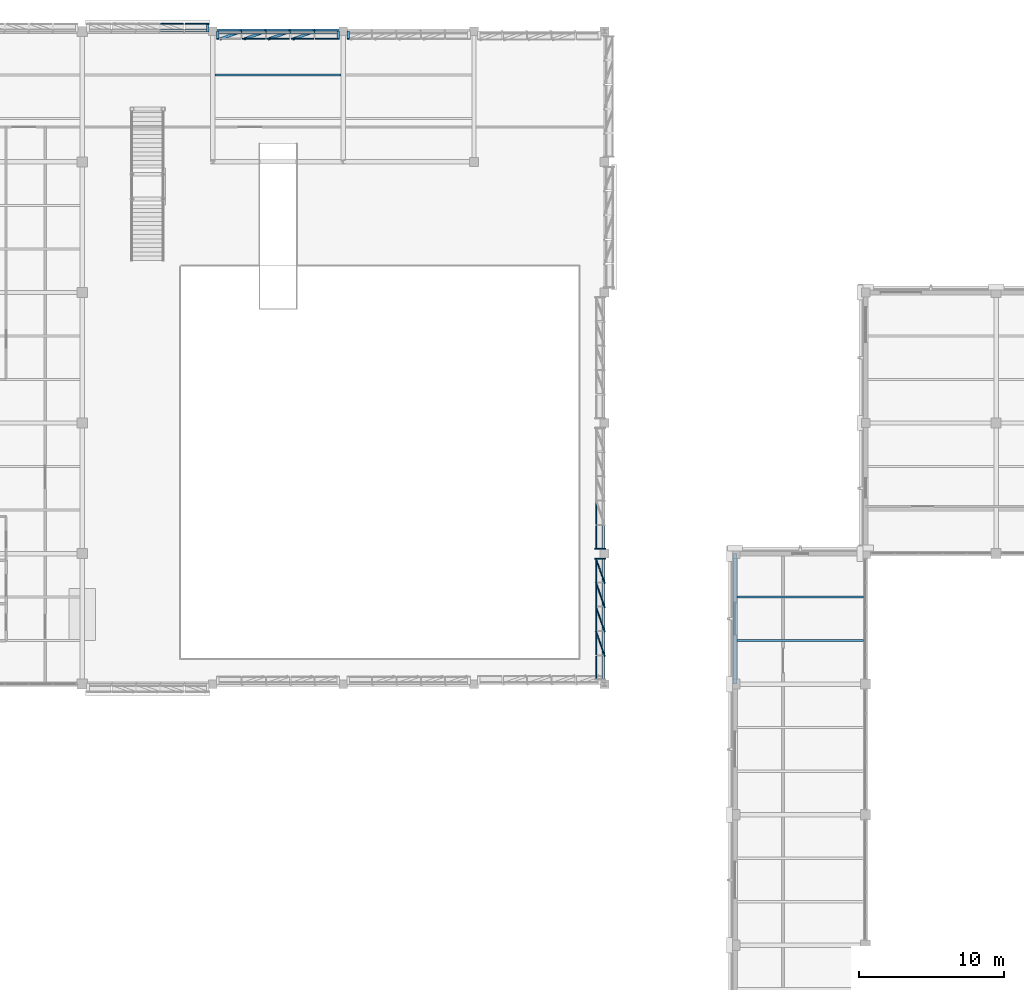
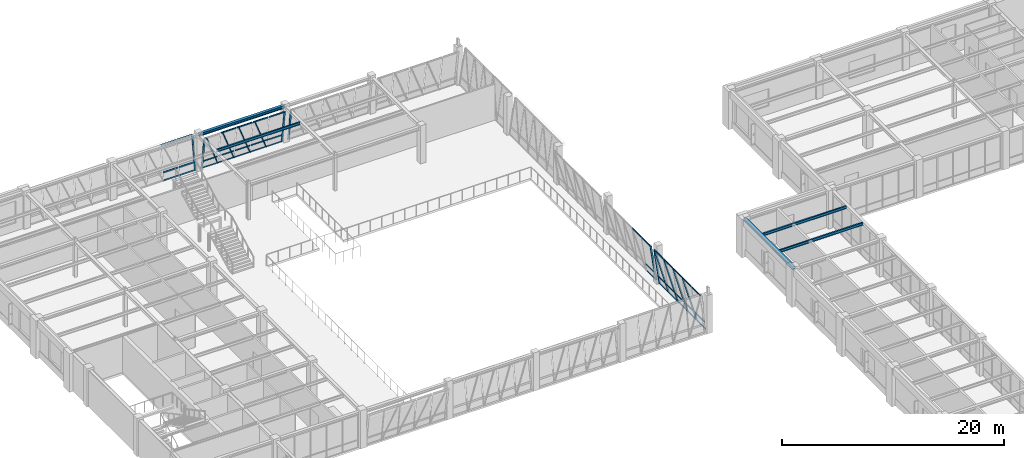
# One storey, part 63 of 108: 53 members, 5 beams, 5 elements without a shape of their own.
"""IFC4 building model written with IfcOpenShell, lengths in metres."""

from ifc_helpers import new_model, si_unit, direction, frame, origin, origin_2d, place, context, subcontext, project, spatial, hollow_rectangle, i_section, extrude, material, material_profile, profile_set, type_object, element, aggregate, save


model = new_model("IFC4")

# Units and contexts
model_context = context("Model", 3, precision=1e-05, world=origin(), true_north=direction((0.0, 1.0)))
body_context = subcontext(model_context, "Body", "Model", "MODEL_VIEW")
ifc_project = project(units=[si_unit("LENGTHUNIT", "METRE"), si_unit("AREAUNIT", "SQUARE_METRE"), si_unit("VOLUMEUNIT", "CUBIC_METRE"), si_unit("PLANEANGLEUNIT", "RADIAN"), si_unit("MASSUNIT", "GRAM", prefix="KILO")], contexts=[model_context])

# Site, building, storey
site_placement = place(None, origin())
site = spatial("IfcSite", under=ifc_project, at=site_placement, CompositionType="ELEMENT")
building_placement = place(site_placement, origin())
building = spatial("IfcBuilding", under=site, at=building_placement, Name="Lykobir Media Centre", CompositionType="ELEMENT")
storey_placement = place(building_placement, frame((0.0, 0.0, 15.0)))
storey = spatial("IfcBuildingStorey", under=building, at=storey_placement, Name="L03", CompositionType="ELEMENT", Elevation=15.0)

# Curtain wall, members
ifc_material_1 = material(Name="Anodized Aluminium AW-6060", Category="aluminium")
curtain_wall_type = type_object("IfcCurtainWallType", Name="CW-V6-CR3", PredefinedType="NOTDEFINED", material=ifc_material_1)
curtain_wall_1_placement = place(storey_placement, origin())
curtain_wall_1 = element("IfcCurtainWall", 1, at=curtain_wall_1_placement, inside=storey, type_object=curtain_wall_type, Name="Curtain wall CW2-L03-0125", PredefinedType="NOTDEFINED")
ifc_material_profile_1 = material_profile(ifc_material_1, hollow_rectangle(XDim=0.074951171875, YDim=0.179931640625, WallThickness=0.00390625, at=origin_2d()), Name="ALU MULLION 75x180")
ifc_profile_set_1 = profile_set([ifc_material_profile_1], Name="Anodized Aluminium AW-6060")
member_type_1 = type_object("IfcMemberType", Name="CWM-180", PredefinedType="MULLION", material=ifc_profile_set_1)
member_1_placement = place(storey_placement, frame((81.0, 71.657470703125, 0.0), z_axis=(-0.142657694389, 0.0, 0.989772086003), x_axis=(0.0, -1.0, 0.0)))
member_1 = element("IfcMember", 2, at=member_1_placement, type_object=member_type_1, Name="CW2-L03-0125 mullion 1", PredefinedType="MULLION", context=body_context, shape_type="SweptSolid", body=[
    extrude(hollow_rectangle(XDim=0.074951171875, YDim=0.179931640625, WallThickness=0.00390625, at=origin_2d()), origin(), (0.0, 0.0, 1.0), 3.980712890625),
])
member_2_placement = place(storey_placement, frame((81.0, 70.01708984375, 0.0), z_axis=(-0.132760683435, 0.365976570158, 0.921105721961), x_axis=(-0.94005853495, -0.341013124188, 0.0)))
member_2 = element("IfcMember", 3, at=member_2_placement, type_object=member_type_1, Name="CW2-L03-0125 mullion 2", PredefinedType="MULLION", context=body_context, shape_type="SweptSolid", body=[
    extrude(hollow_rectangle(XDim=0.074951171875, YDim=0.179931640625, WallThickness=0.00390625, at=origin_2d()), origin(), (0.0, 0.0, 1.0), 4.27734375),
])
member_3_placement = place(storey_placement, frame((81.0, 68.339111328125, 0.0), z_axis=(-0.132271466696, 0.374579600655, 0.917711491631), x_axis=(-0.942937465835, -0.332969871798, 0.0)))
member_3 = element("IfcMember", 4, at=member_3_placement, type_object=member_type_1, Name="CW2-L03-0125 mullion 3", PredefinedType="MULLION", context=body_context, shape_type="SweptSolid", body=[
    extrude(hollow_rectangle(XDim=0.074951171875, YDim=0.179931640625, WallThickness=0.00390625, at=origin_2d()), origin(), (0.0, 0.0, 1.0), 4.293212890625),
])
member_4_placement = place(storey_placement, frame((81.0, 66.660888671875, 0.0), z_axis=(-0.132268649053, 0.374628486657, 0.917691942573), x_axis=(-0.942953333652, -0.332924932312, 0.0)))
member_4 = element("IfcMember", 5, at=member_4_placement, type_object=member_type_1, Name="CW2-L03-0125 mullion 4", PredefinedType="MULLION", context=body_context, shape_type="SweptSolid", body=[
    extrude(hollow_rectangle(XDim=0.074951171875, YDim=0.179931640625, WallThickness=0.00390625, at=origin_2d()), origin(), (0.0, 0.0, 1.0), 4.293212890625),
])
member_5_placement = place(storey_placement, frame((81.0, 64.98291015625, 0.0), z_axis=(-0.132268649053, 0.374628486657, 0.917691942573), x_axis=(-0.942953333652, -0.332924932312, 0.0)))
member_5 = element("IfcMember", 6, at=member_5_placement, type_object=member_type_1, Name="CW2-L03-0125 mullion 5", PredefinedType="MULLION", context=body_context, shape_type="SweptSolid", body=[
    extrude(hollow_rectangle(XDim=0.074951171875, YDim=0.179931640625, WallThickness=0.00390625, at=origin_2d()), origin(), (0.0, 0.0, 1.0), 4.293212890625),
])

# Curtain wall, member
curtain_wall_2_placement = place(storey_placement, origin())
curtain_wall_2 = element("IfcCurtainWall", 7, at=curtain_wall_2_placement, inside=storey, type_object=curtain_wall_type, Name="Curtain wall CW2-L03-0126", PredefinedType="NOTDEFINED")
member_6_placement = place(storey_placement, frame((81.0, 72.342529296875, 0.0), z_axis=(-0.142657694389, 0.0, 0.989772086003), x_axis=(0.0, -1.0, 0.0)))
member_6 = element("IfcMember", 8, at=member_6_placement, type_object=member_type_1, Name="CW2-L03-0126 mullion 6", PredefinedType="MULLION", context=body_context, shape_type="SweptSolid", body=[
    extrude(hollow_rectangle(XDim=0.074951171875, YDim=0.179931640625, WallThickness=0.00390625, at=origin_2d()), origin(), (0.0, 0.0, 1.0), 3.980712890625),
])

curtain_wall_3_placement = place(storey_placement, origin())
curtain_wall_3 = element("IfcCurtainWall", 9, at=curtain_wall_3_placement, inside=storey, type_object=curtain_wall_type, Name="Curtain wall CW2-L03-0131", PredefinedType="NOTDEFINED")
member_7_placement = place(storey_placement, frame((53.657470703125, 108.0, 0.0), z_axis=(0.0, 0.142593917485, 0.98978127619), x_axis=(0.0, 0.98978127619, -0.142593917485)))
member_7 = element("IfcMember", 10, at=member_7_placement, type_object=member_type_1, Name="CW2-L03-0131 mullion 1", PredefinedType="MULLION", context=body_context, shape_type="SweptSolid", body=[
    extrude(hollow_rectangle(XDim=0.074951171875, YDim=0.179931640625, WallThickness=0.00390625, at=origin_2d()), origin(), (0.0, 0.0, 1.0), 3.672607421875),
])

# Curtain wall, members
curtain_wall_4_placement = place(storey_placement, origin())
curtain_wall_4 = element("IfcCurtainWall", 11, at=curtain_wall_4_placement, inside=storey, type_object=curtain_wall_type, Name="Curtain wall CW2-L03-0132", PredefinedType="NOTDEFINED")
member_8_placement = place(storey_placement, frame((54.342529296875, 108.0, 0.0), z_axis=(0.0, -0.142593917485, 0.98978127619), x_axis=(0.0, 0.98978127619, 0.142593917485)))
member_8 = element("IfcMember", 12, at=member_8_placement, type_object=member_type_1, Name="CW2-L03-0132 mullion 1", PredefinedType="MULLION", context=body_context, shape_type="SweptSolid", body=[
    extrude(hollow_rectangle(XDim=0.074951171875, YDim=0.179931640625, WallThickness=0.00390625, at=origin_2d()), origin(), (0.0, 0.0, 1.0), 3.672607421875),
])
member_9_placement = place(storey_placement, frame((55.98291015625, 108.0, 0.0), z_axis=(-0.374572027629, -0.132212769337, 0.917723040869), x_axis=(0.865396069103, 0.305459037062, 0.397220870874)))
member_9 = element("IfcMember", 13, at=member_9_placement, type_object=member_type_1, Name="CW2-L03-0132 mullion 2", PredefinedType="MULLION", context=body_context, shape_type="SweptSolid", body=[
    extrude(hollow_rectangle(XDim=0.074951171875, YDim=0.179931640625, WallThickness=0.00390625, at=origin_2d()), origin(), (0.0, 0.0, 1.0), 3.9609375),
])
member_10_placement = place(storey_placement, frame((57.660888671875, 108.0, 0.0), z_axis=(-0.374572027629, -0.132212769337, 0.917723040869), x_axis=(0.865396069103, 0.305459037062, 0.397220870874)))
member_10 = element("IfcMember", 14, at=member_10_placement, type_object=member_type_1, Name="CW2-L03-0132 mullion 3", PredefinedType="MULLION", context=body_context, shape_type="SweptSolid", body=[
    extrude(hollow_rectangle(XDim=0.074951171875, YDim=0.179931640625, WallThickness=0.00390625, at=origin_2d()), origin(), (0.0, 0.0, 1.0), 3.9609375),
])
member_11_placement = place(storey_placement, frame((59.339111328125, 108.0, 0.0), z_axis=(-0.374625015426, -0.132209716698, 0.917701851708), x_axis=(0.865391860701, 0.305407295361, 0.397269821875)))
member_11 = element("IfcMember", 15, at=member_11_placement, type_object=member_type_1, Name="CW2-L03-0132 mullion 4", PredefinedType="MULLION", context=body_context, shape_type="SweptSolid", body=[
    extrude(hollow_rectangle(XDim=0.074951171875, YDim=0.179931640625, WallThickness=0.00390625, at=origin_2d()), origin(), (0.0, 0.0, 1.0), 3.9609375),
])
member_12_placement = place(storey_placement, frame((61.01708984375, 108.0, 0.0), z_axis=(-0.374625015426, -0.132209716698, 0.917701851708), x_axis=(0.865391860701, 0.305407295361, 0.397269821875)))
member_12 = element("IfcMember", 16, at=member_12_placement, type_object=member_type_1, Name="CW2-L03-0132 mullion 5", PredefinedType="MULLION", context=body_context, shape_type="SweptSolid", body=[
    extrude(hollow_rectangle(XDim=0.074951171875, YDim=0.179931640625, WallThickness=0.00390625, at=origin_2d()), origin(), (0.0, 0.0, 1.0), 3.9609375),
])
member_13_placement = place(storey_placement, frame((62.657470703125, 108.0, 0.0), z_axis=(0.0, -0.142593917485, 0.98978127619), x_axis=(0.0, 0.98978127619, 0.142593917485)))
member_13 = element("IfcMember", 17, at=member_13_placement, type_object=member_type_1, Name="CW2-L03-0132 mullion 6", PredefinedType="MULLION", context=body_context, shape_type="SweptSolid", body=[
    extrude(hollow_rectangle(XDim=0.074951171875, YDim=0.179931640625, WallThickness=0.00390625, at=origin_2d()), origin(), (0.0, 0.0, 1.0), 3.672607421875),
])

# Curtain wall, member
curtain_wall_5_placement = place(storey_placement, origin())
curtain_wall_5 = element("IfcCurtainWall", 18, at=curtain_wall_5_placement, inside=storey, type_object=curtain_wall_type, Name="Curtain wall CW2-L03-0133", PredefinedType="NOTDEFINED")
member_14_placement = place(storey_placement, frame((63.342529296875, 108.0, 0.0), z_axis=(0.0, -0.142593917485, 0.98978127619), x_axis=(0.0, 0.98978127619, 0.142593917485)))
member_14 = element("IfcMember", 19, at=member_14_placement, type_object=member_type_1, Name="CW2-L03-0133 mullion 1", PredefinedType="MULLION", context=body_context, shape_type="SweptSolid", body=[
    extrude(hollow_rectangle(XDim=0.074951171875, YDim=0.179931640625, WallThickness=0.00390625, at=origin_2d()), origin(), (0.0, 0.0, 1.0), 3.672607421875),
])
aggregate(curtain_wall_5, [member_14])

# Member
ifc_material_profile_2 = material_profile(ifc_material_1, hollow_rectangle(XDim=0.074951171875, YDim=0.14990234375, WallThickness=0.00341796875, at=origin_2d()), Name="ALU TRANSOM 75x150")
ifc_profile_set_2 = profile_set([ifc_material_profile_2], Name="Anodized Aluminium AW-6060")
member_type_2 = type_object("IfcMemberType", Name="CWT-150", PredefinedType="USERDEFINED", material=ifc_profile_set_2)
member_15_placement = place(storey_placement, frame((80.99462890625, 71.6201171875, 0.037109375), z_axis=(0.0, -1.0, 0.0), x_axis=(0.989776230908, 0.0, 0.142628933706)))
member_15 = element("IfcMember", 20, at=member_15_placement, type_object=member_type_2, Name="CW2-L03-0125 transom 1.1", ObjectType="TRANSOM", PredefinedType="USERDEFINED", context=body_context, shape_type="SweptSolid", body=[
    extrude(hollow_rectangle(XDim=0.074951171875, YDim=0.14990234375, WallThickness=0.00341796875, at=origin_2d()), origin(), (0.0, 0.0, 1.0), 1.565673828125),
])

member_16_placement = place(storey_placement, frame((80.87890625, 71.6201171875, 0.84130859375), z_axis=(0.0, -1.0, 0.0), x_axis=(0.989776230908, 0.0, 0.142628933706)))
member_16 = element("IfcMember", 21, at=member_16_placement, type_object=member_type_2, Name="CW2-L03-0125 transom 1.2", ObjectType="TRANSOM", PredefinedType="USERDEFINED", context=body_context, shape_type="SweptSolid", body=[
    extrude(hollow_rectangle(XDim=0.074951171875, YDim=0.14990234375, WallThickness=0.00341796875, at=origin_2d()), origin(), (0.0, 0.0, 1.0), 1.565673828125),
])

member_17_placement = place(storey_placement, frame((80.4375, 71.6201171875, 3.90283203125), z_axis=(0.0, -1.0, 0.0), x_axis=(0.989776230908, 0.0, 0.142628933706)))
member_17 = element("IfcMember", 22, at=member_17_placement, type_object=member_type_2, Name="CW2-L03-0125 transom 1.3", ObjectType="TRANSOM", PredefinedType="USERDEFINED", context=body_context, shape_type="SweptSolid", body=[
    extrude(hollow_rectangle(XDim=0.074951171875, YDim=0.14990234375, WallThickness=0.00341796875, at=origin_2d()), origin(), (0.0, 0.0, 1.0), 1.565673828125),
])

member_18_placement = place(storey_placement, frame((80.99462890625, 69.9794921875, 0.037109375), z_axis=(0.0, -1.0, 0.0), x_axis=(0.989776230908, 0.0, 0.142628933706)))
member_18 = element("IfcMember", 23, at=member_18_placement, type_object=member_type_2, Name="CW2-L03-0125 transom 2.1", ObjectType="TRANSOM", PredefinedType="USERDEFINED", context=body_context, shape_type="SweptSolid", body=[
    extrude(hollow_rectangle(XDim=0.074951171875, YDim=0.14990234375, WallThickness=0.00341796875, at=origin_2d()), origin(), (0.0, 0.0, 1.0), 1.60302734375),
])

member_19_placement = place(storey_placement, frame((80.87890625, 69.9794921875, 0.84130859375), z_axis=(0.0, -1.0, 0.0), x_axis=(0.989776230908, 0.0, 0.142628933706)))
member_19 = element("IfcMember", 24, at=member_19_placement, type_object=member_type_2, Name="CW2-L03-0125 transom 2.2", ObjectType="TRANSOM", PredefinedType="USERDEFINED", context=body_context, shape_type="SweptSolid", body=[
    extrude(hollow_rectangle(XDim=0.074951171875, YDim=0.14990234375, WallThickness=0.00341796875, at=origin_2d()), origin(), (0.0, 0.0, 1.0), 1.60302734375),
])

member_20_placement = place(storey_placement, frame((80.4375, 69.9794921875, 3.90283203125), z_axis=(0.0, -1.0, 0.0), x_axis=(0.989776230908, 0.0, 0.142628933706)))
member_20 = element("IfcMember", 25, at=member_20_placement, type_object=member_type_2, Name="CW2-L03-0125 transom 2.3", ObjectType="TRANSOM", PredefinedType="USERDEFINED", context=body_context, shape_type="SweptSolid", body=[
    extrude(hollow_rectangle(XDim=0.074951171875, YDim=0.14990234375, WallThickness=0.00341796875, at=origin_2d()), origin(), (0.0, 0.0, 1.0), 1.60302734375),
])

member_21_placement = place(storey_placement, frame((80.99462890625, 68.301513671875, 0.037109375), z_axis=(0.0, -1.0, 0.0), x_axis=(0.989776230908, 0.0, 0.142628933706)))
member_21 = element("IfcMember", 26, at=member_21_placement, type_object=member_type_2, Name="CW2-L03-0125 transom 3.1", ObjectType="TRANSOM", PredefinedType="USERDEFINED", context=body_context, shape_type="SweptSolid", body=[
    extrude(hollow_rectangle(XDim=0.074951171875, YDim=0.14990234375, WallThickness=0.00341796875, at=origin_2d()), origin(), (0.0, 0.0, 1.0), 1.60302734375),
])

member_22_placement = place(storey_placement, frame((80.87890625, 68.301513671875, 0.84130859375), z_axis=(0.0, -1.0, 0.0), x_axis=(0.989776230908, 0.0, 0.142628933706)))
member_22 = element("IfcMember", 27, at=member_22_placement, type_object=member_type_2, Name="CW2-L03-0125 transom 3.2", ObjectType="TRANSOM", PredefinedType="USERDEFINED", context=body_context, shape_type="SweptSolid", body=[
    extrude(hollow_rectangle(XDim=0.074951171875, YDim=0.14990234375, WallThickness=0.00341796875, at=origin_2d()), origin(), (0.0, 0.0, 1.0), 1.60302734375),
])

member_23_placement = place(storey_placement, frame((80.4375, 68.301513671875, 3.90283203125), z_axis=(0.0, -1.0, 0.0), x_axis=(0.989776230908, 0.0, 0.142628933706)))
member_23 = element("IfcMember", 28, at=member_23_placement, type_object=member_type_2, Name="CW2-L03-0125 transom 3.3", ObjectType="TRANSOM", PredefinedType="USERDEFINED", context=body_context, shape_type="SweptSolid", body=[
    extrude(hollow_rectangle(XDim=0.074951171875, YDim=0.14990234375, WallThickness=0.00341796875, at=origin_2d()), origin(), (0.0, 0.0, 1.0), 1.60302734375),
])

member_24_placement = place(storey_placement, frame((80.99462890625, 66.62353515625, 0.037109375), z_axis=(0.0, -1.0, 0.0), x_axis=(0.989776230908, 0.0, 0.142628933706)))
member_24 = element("IfcMember", 29, at=member_24_placement, type_object=member_type_2, Name="CW2-L03-0125 transom 4.1", ObjectType="TRANSOM", PredefinedType="USERDEFINED", context=body_context, shape_type="SweptSolid", body=[
    extrude(hollow_rectangle(XDim=0.074951171875, YDim=0.14990234375, WallThickness=0.00341796875, at=origin_2d()), origin(), (0.0, 0.0, 1.0), 1.60302734375),
])

member_25_placement = place(storey_placement, frame((80.87890625, 66.62353515625, 0.84130859375), z_axis=(0.0, -1.0, 0.0), x_axis=(0.989776230908, 0.0, 0.142628933706)))
member_25 = element("IfcMember", 30, at=member_25_placement, type_object=member_type_2, Name="CW2-L03-0125 transom 4.2", ObjectType="TRANSOM", PredefinedType="USERDEFINED", context=body_context, shape_type="SweptSolid", body=[
    extrude(hollow_rectangle(XDim=0.074951171875, YDim=0.14990234375, WallThickness=0.00341796875, at=origin_2d()), origin(), (0.0, 0.0, 1.0), 1.60302734375),
])

member_26_placement = place(storey_placement, frame((80.4375, 66.62353515625, 3.90283203125), z_axis=(0.0, -1.0, 0.0), x_axis=(0.989776230908, 0.0, 0.142628933706)))
member_26 = element("IfcMember", 31, at=member_26_placement, type_object=member_type_2, Name="CW2-L03-0125 transom 4.3", ObjectType="TRANSOM", PredefinedType="USERDEFINED", context=body_context, shape_type="SweptSolid", body=[
    extrude(hollow_rectangle(XDim=0.074951171875, YDim=0.14990234375, WallThickness=0.00341796875, at=origin_2d()), origin(), (0.0, 0.0, 1.0), 1.60302734375),
])

member_27_placement = place(storey_placement, frame((80.99462890625, 64.945556640625, 0.037109375), z_axis=(0.0, -1.0, 0.0), x_axis=(0.989776230908, 0.0, 0.142628933706)))
member_27 = element("IfcMember", 32, at=member_27_placement, type_object=member_type_2, Name="CW2-L03-0125 transom 5.1", ObjectType="TRANSOM", PredefinedType="USERDEFINED", context=body_context, shape_type="SweptSolid", body=[
    extrude(hollow_rectangle(XDim=0.074951171875, YDim=0.14990234375, WallThickness=0.00341796875, at=origin_2d()), origin(), (0.0, 0.0, 1.0), 1.565673828125),
])

member_28_placement = place(storey_placement, frame((80.87890625, 64.945556640625, 0.84130859375), z_axis=(0.0, -1.0, 0.0), x_axis=(0.989776230908, 0.0, 0.142628933706)))
member_28 = element("IfcMember", 33, at=member_28_placement, type_object=member_type_2, Name="CW2-L03-0125 transom 5.2", ObjectType="TRANSOM", PredefinedType="USERDEFINED", context=body_context, shape_type="SweptSolid", body=[
    extrude(hollow_rectangle(XDim=0.074951171875, YDim=0.14990234375, WallThickness=0.00341796875, at=origin_2d()), origin(), (0.0, 0.0, 1.0), 1.565673828125),
])

member_29_placement = place(storey_placement, frame((80.4375, 64.945556640625, 3.90283203125), z_axis=(0.0, -1.0, 0.0), x_axis=(0.989776230908, 0.0, 0.142628933706)))
member_29 = element("IfcMember", 34, at=member_29_placement, type_object=member_type_2, Name="CW2-L03-0125 transom 5.3", ObjectType="TRANSOM", PredefinedType="USERDEFINED", context=body_context, shape_type="SweptSolid", body=[
    extrude(hollow_rectangle(XDim=0.074951171875, YDim=0.14990234375, WallThickness=0.00341796875, at=origin_2d()), origin(), (0.0, 0.0, 1.0), 1.565673828125),
])

aggregate(curtain_wall_1, [member_1, member_2, member_3, member_4, member_5, member_15, member_16, member_17, member_18, member_19, member_20, member_21, member_22, member_23, member_24, member_25, member_26, member_27, member_28, member_29])

member_30_placement = place(storey_placement, frame((80.4375, 75.62353515625, 3.90283203125), z_axis=(0.0, -1.0, 0.0), x_axis=(0.989776230908, 0.0, 0.142628933706)))
member_30 = element("IfcMember", 35, at=member_30_placement, type_object=member_type_2, Name="CW2-L03-0126 transom 4.3", ObjectType="TRANSOM", PredefinedType="USERDEFINED", context=body_context, shape_type="SweptSolid", body=[
    extrude(hollow_rectangle(XDim=0.074951171875, YDim=0.14990234375, WallThickness=0.00341796875, at=origin_2d()), origin(), (0.0, 0.0, 1.0), 1.60302734375),
])

member_31_placement = place(storey_placement, frame((80.99462890625, 73.945556640625, 0.037109375), z_axis=(0.0, -1.0, 0.0), x_axis=(0.989776230908, 0.0, 0.142628933706)))
member_31 = element("IfcMember", 36, at=member_31_placement, type_object=member_type_2, Name="CW2-L03-0126 transom 5.1", ObjectType="TRANSOM", PredefinedType="USERDEFINED", context=body_context, shape_type="SweptSolid", body=[
    extrude(hollow_rectangle(XDim=0.074951171875, YDim=0.14990234375, WallThickness=0.00341796875, at=origin_2d()), origin(), (0.0, 0.0, 1.0), 1.565673828125),
])

member_32_placement = place(storey_placement, frame((80.87890625, 73.945556640625, 0.84130859375), z_axis=(0.0, -1.0, 0.0), x_axis=(0.989776230908, 0.0, 0.142628933706)))
member_32 = element("IfcMember", 37, at=member_32_placement, type_object=member_type_2, Name="CW2-L03-0126 transom 5.2", ObjectType="TRANSOM", PredefinedType="USERDEFINED", context=body_context, shape_type="SweptSolid", body=[
    extrude(hollow_rectangle(XDim=0.074951171875, YDim=0.14990234375, WallThickness=0.00341796875, at=origin_2d()), origin(), (0.0, 0.0, 1.0), 1.565673828125),
])

member_33_placement = place(storey_placement, frame((80.4375, 73.945556640625, 3.90283203125), z_axis=(0.0, -1.0, 0.0), x_axis=(0.989776230908, 0.0, 0.142628933706)))
member_33 = element("IfcMember", 38, at=member_33_placement, type_object=member_type_2, Name="CW2-L03-0126 transom 5.3", ObjectType="TRANSOM", PredefinedType="USERDEFINED", context=body_context, shape_type="SweptSolid", body=[
    extrude(hollow_rectangle(XDim=0.074951171875, YDim=0.14990234375, WallThickness=0.00341796875, at=origin_2d()), origin(), (0.0, 0.0, 1.0), 1.565673828125),
])

aggregate(curtain_wall_2, [member_6, member_30, member_31, member_32, member_33])

member_34_placement = place(storey_placement, frame((53.6201171875, 108.00537109375, 0.037109375), z_axis=(-1.0, 0.0, 0.0), x_axis=(0.0, -0.989776230908, 0.142628933706)))
member_34 = element("IfcMember", 39, at=member_34_placement, type_object=member_type_2, Name="CW2-L03-0131 transom 1.1", ObjectType="TRANSOM", PredefinedType="USERDEFINED", context=body_context, shape_type="SweptSolid", body=[
    extrude(hollow_rectangle(XDim=0.074951171875, YDim=0.14990234375, WallThickness=0.00341796875, at=origin_2d()), origin(), (0.0, 0.0, 1.0), 1.5556640625),
])

member_35_placement = place(storey_placement, frame((53.6201171875, 108.12109375, 0.84130859375), z_axis=(-1.0, 0.0, 0.0), x_axis=(0.0, -0.989776230908, 0.142628933706)))
member_35 = element("IfcMember", 40, at=member_35_placement, type_object=member_type_2, Name="CW2-L03-0131 transom 1.2", ObjectType="TRANSOM", PredefinedType="USERDEFINED", context=body_context, shape_type="SweptSolid", body=[
    extrude(hollow_rectangle(XDim=0.074951171875, YDim=0.14990234375, WallThickness=0.00341796875, at=origin_2d()), origin(), (0.0, 0.0, 1.0), 1.5556640625),
])

member_36_placement = place(storey_placement, frame((53.6201171875, 108.5185546875, 3.597900390625), z_axis=(-1.0, 0.0, 0.0), x_axis=(0.0, -0.989776230908, 0.142628933706)))
member_36 = element("IfcMember", 41, at=member_36_placement, type_object=member_type_2, Name="CW2-L03-0131 transom 1.3", ObjectType="TRANSOM", PredefinedType="USERDEFINED", context=body_context, shape_type="SweptSolid", body=[
    extrude(hollow_rectangle(XDim=0.074951171875, YDim=0.14990234375, WallThickness=0.00341796875, at=origin_2d()), origin(), (0.0, 0.0, 1.0), 1.5556640625),
])

member_37_placement = place(storey_placement, frame((51.989501953125, 108.00537109375, 0.037109375), z_axis=(-1.0, 0.0, 0.0), x_axis=(0.0, -0.989776230908, 0.142628933706)))
member_37 = element("IfcMember", 42, at=member_37_placement, type_object=member_type_2, Name="CW2-L03-0131 transom 2.1", ObjectType="TRANSOM", PredefinedType="USERDEFINED", context=body_context, shape_type="SweptSolid", body=[
    extrude(hollow_rectangle(XDim=0.074951171875, YDim=0.14990234375, WallThickness=0.00341796875, at=origin_2d()), origin(), (0.0, 0.0, 1.0), 1.593017578125),
])

member_38_placement = place(storey_placement, frame((51.989501953125, 108.12109375, 0.84130859375), z_axis=(-1.0, 0.0, 0.0), x_axis=(0.0, -0.989776230908, 0.142628933706)))
member_38 = element("IfcMember", 43, at=member_38_placement, type_object=member_type_2, Name="CW2-L03-0131 transom 2.2", ObjectType="TRANSOM", PredefinedType="USERDEFINED", context=body_context, shape_type="SweptSolid", body=[
    extrude(hollow_rectangle(XDim=0.074951171875, YDim=0.14990234375, WallThickness=0.00341796875, at=origin_2d()), origin(), (0.0, 0.0, 1.0), 1.593017578125),
])

member_39_placement = place(storey_placement, frame((51.989501953125, 108.5185546875, 3.597900390625), z_axis=(-1.0, 0.0, 0.0), x_axis=(0.0, -0.989776230908, 0.142628933706)))
member_39 = element("IfcMember", 44, at=member_39_placement, type_object=member_type_2, Name="CW2-L03-0131 transom 2.3", ObjectType="TRANSOM", PredefinedType="USERDEFINED", context=body_context, shape_type="SweptSolid", body=[
    extrude(hollow_rectangle(XDim=0.074951171875, YDim=0.14990234375, WallThickness=0.00341796875, at=origin_2d()), origin(), (0.0, 0.0, 1.0), 1.593017578125),
])

aggregate(curtain_wall_3, [member_7, member_34, member_35, member_36, member_37, member_38, member_39])

member_40_placement = place(storey_placement, frame((54.3798828125, 107.99462890625, 0.037109375), z_axis=(1.0, 0.0, 0.0), x_axis=(0.0, 0.989776230908, 0.142628933706)))
member_40 = element("IfcMember", 45, at=member_40_placement, type_object=member_type_2, Name="CW2-L03-0132 transom 1.1", ObjectType="TRANSOM", PredefinedType="USERDEFINED", context=body_context, shape_type="SweptSolid", body=[
    extrude(hollow_rectangle(XDim=0.074951171875, YDim=0.14990234375, WallThickness=0.00341796875, at=origin_2d()), origin(), (0.0, 0.0, 1.0), 1.565673828125),
])

member_41_placement = place(storey_placement, frame((54.3798828125, 107.87890625, 0.84130859375), z_axis=(1.0, 0.0, 0.0), x_axis=(0.0, 0.989776230908, 0.142628933706)))
member_41 = element("IfcMember", 46, at=member_41_placement, type_object=member_type_2, Name="CW2-L03-0132 transom 1.2", ObjectType="TRANSOM", PredefinedType="USERDEFINED", context=body_context, shape_type="SweptSolid", body=[
    extrude(hollow_rectangle(XDim=0.074951171875, YDim=0.14990234375, WallThickness=0.00341796875, at=origin_2d()), origin(), (0.0, 0.0, 1.0), 1.565673828125),
])

member_42_placement = place(storey_placement, frame((56.0205078125, 107.99462890625, 0.037109375), z_axis=(1.0, 0.0, 0.0), x_axis=(0.0, 0.989776230908, 0.142628933706)))
member_42 = element("IfcMember", 47, at=member_42_placement, type_object=member_type_2, Name="CW2-L03-0132 transom 2.1", ObjectType="TRANSOM", PredefinedType="USERDEFINED", context=body_context, shape_type="SweptSolid", body=[
    extrude(hollow_rectangle(XDim=0.074951171875, YDim=0.14990234375, WallThickness=0.00341796875, at=origin_2d()), origin(), (0.0, 0.0, 1.0), 1.60302734375),
])

member_43_placement = place(storey_placement, frame((56.0205078125, 107.87890625, 0.84130859375), z_axis=(1.0, 0.0, 0.0), x_axis=(0.0, 0.989776230908, 0.142628933706)))
member_43 = element("IfcMember", 48, at=member_43_placement, type_object=member_type_2, Name="CW2-L03-0132 transom 2.2", ObjectType="TRANSOM", PredefinedType="USERDEFINED", context=body_context, shape_type="SweptSolid", body=[
    extrude(hollow_rectangle(XDim=0.074951171875, YDim=0.14990234375, WallThickness=0.00341796875, at=origin_2d()), origin(), (0.0, 0.0, 1.0), 1.60302734375),
])

member_44_placement = place(storey_placement, frame((56.0205078125, 107.4814453125, 3.597900390625), z_axis=(1.0, 0.0, 0.0), x_axis=(0.0, 0.989776230908, 0.142628933706)))
member_44 = element("IfcMember", 49, at=member_44_placement, type_object=member_type_2, Name="CW2-L03-0132 transom 2.3", ObjectType="TRANSOM", PredefinedType="USERDEFINED", context=body_context, shape_type="SweptSolid", body=[
    extrude(hollow_rectangle(XDim=0.074951171875, YDim=0.14990234375, WallThickness=0.00341796875, at=origin_2d()), origin(), (0.0, 0.0, 1.0), 1.60302734375),
])

member_45_placement = place(storey_placement, frame((57.698486328125, 107.99462890625, 0.037109375), z_axis=(1.0, 0.0, 0.0), x_axis=(0.0, 0.989776230908, 0.142628933706)))
member_45 = element("IfcMember", 50, at=member_45_placement, type_object=member_type_2, Name="CW2-L03-0132 transom 3.1", ObjectType="TRANSOM", PredefinedType="USERDEFINED", context=body_context, shape_type="SweptSolid", body=[
    extrude(hollow_rectangle(XDim=0.074951171875, YDim=0.14990234375, WallThickness=0.00341796875, at=origin_2d()), origin(), (0.0, 0.0, 1.0), 1.60302734375),
])

member_46_placement = place(storey_placement, frame((57.698486328125, 107.87890625, 0.84130859375), z_axis=(1.0, 0.0, 0.0), x_axis=(0.0, 0.989776230908, 0.142628933706)))
member_46 = element("IfcMember", 51, at=member_46_placement, type_object=member_type_2, Name="CW2-L03-0132 transom 3.2", ObjectType="TRANSOM", PredefinedType="USERDEFINED", context=body_context, shape_type="SweptSolid", body=[
    extrude(hollow_rectangle(XDim=0.074951171875, YDim=0.14990234375, WallThickness=0.00341796875, at=origin_2d()), origin(), (0.0, 0.0, 1.0), 1.60302734375),
])

member_47_placement = place(storey_placement, frame((57.698486328125, 107.4814453125, 3.597900390625), z_axis=(1.0, 0.0, 0.0), x_axis=(0.0, 0.989776230908, 0.142628933706)))
member_47 = element("IfcMember", 52, at=member_47_placement, type_object=member_type_2, Name="CW2-L03-0132 transom 3.3", ObjectType="TRANSOM", PredefinedType="USERDEFINED", context=body_context, shape_type="SweptSolid", body=[
    extrude(hollow_rectangle(XDim=0.074951171875, YDim=0.14990234375, WallThickness=0.00341796875, at=origin_2d()), origin(), (0.0, 0.0, 1.0), 1.60302734375),
])

member_48_placement = place(storey_placement, frame((59.37646484375, 107.99462890625, 0.037109375), z_axis=(1.0, 0.0, 0.0), x_axis=(0.0, 0.989776230908, 0.142628933706)))
member_48 = element("IfcMember", 53, at=member_48_placement, type_object=member_type_2, Name="CW2-L03-0132 transom 4.1", ObjectType="TRANSOM", PredefinedType="USERDEFINED", context=body_context, shape_type="SweptSolid", body=[
    extrude(hollow_rectangle(XDim=0.074951171875, YDim=0.14990234375, WallThickness=0.00341796875, at=origin_2d()), origin(), (0.0, 0.0, 1.0), 1.60302734375),
])

member_49_placement = place(storey_placement, frame((59.37646484375, 107.87890625, 0.84130859375), z_axis=(1.0, 0.0, 0.0), x_axis=(0.0, 0.989776230908, 0.142628933706)))
member_49 = element("IfcMember", 54, at=member_49_placement, type_object=member_type_2, Name="CW2-L03-0132 transom 4.2", ObjectType="TRANSOM", PredefinedType="USERDEFINED", context=body_context, shape_type="SweptSolid", body=[
    extrude(hollow_rectangle(XDim=0.074951171875, YDim=0.14990234375, WallThickness=0.00341796875, at=origin_2d()), origin(), (0.0, 0.0, 1.0), 1.60302734375),
])

member_50_placement = place(storey_placement, frame((59.37646484375, 107.4814453125, 3.597900390625), z_axis=(1.0, 0.0, 0.0), x_axis=(0.0, 0.989776230908, 0.142628933706)))
member_50 = element("IfcMember", 55, at=member_50_placement, type_object=member_type_2, Name="CW2-L03-0132 transom 4.3", ObjectType="TRANSOM", PredefinedType="USERDEFINED", context=body_context, shape_type="SweptSolid", body=[
    extrude(hollow_rectangle(XDim=0.074951171875, YDim=0.14990234375, WallThickness=0.00341796875, at=origin_2d()), origin(), (0.0, 0.0, 1.0), 1.60302734375),
])

member_51_placement = place(storey_placement, frame((61.054443359375, 107.99462890625, 0.037109375), z_axis=(1.0, 0.0, 0.0), x_axis=(0.0, 0.989776230908, 0.142628933706)))
member_51 = element("IfcMember", 56, at=member_51_placement, type_object=member_type_2, Name="CW2-L03-0132 transom 5.1", ObjectType="TRANSOM", PredefinedType="USERDEFINED", context=body_context, shape_type="SweptSolid", body=[
    extrude(hollow_rectangle(XDim=0.074951171875, YDim=0.14990234375, WallThickness=0.00341796875, at=origin_2d()), origin(), (0.0, 0.0, 1.0), 1.565673828125),
])

member_52_placement = place(storey_placement, frame((61.054443359375, 107.87890625, 0.84130859375), z_axis=(1.0, 0.0, 0.0), x_axis=(0.0, 0.989776230908, 0.142628933706)))
member_52 = element("IfcMember", 57, at=member_52_placement, type_object=member_type_2, Name="CW2-L03-0132 transom 5.2", ObjectType="TRANSOM", PredefinedType="USERDEFINED", context=body_context, shape_type="SweptSolid", body=[
    extrude(hollow_rectangle(XDim=0.074951171875, YDim=0.14990234375, WallThickness=0.00341796875, at=origin_2d()), origin(), (0.0, 0.0, 1.0), 1.565673828125),
])

member_53_placement = place(storey_placement, frame((61.054443359375, 107.4814453125, 3.597900390625), z_axis=(1.0, 0.0, 0.0), x_axis=(0.0, 0.989776230908, 0.142628933706)))
member_53 = element("IfcMember", 58, at=member_53_placement, type_object=member_type_2, Name="CW2-L03-0132 transom 5.3", ObjectType="TRANSOM", PredefinedType="USERDEFINED", context=body_context, shape_type="SweptSolid", body=[
    extrude(hollow_rectangle(XDim=0.074951171875, YDim=0.14990234375, WallThickness=0.00341796875, at=origin_2d()), origin(), (0.0, 0.0, 1.0), 1.565673828125),
])

aggregate(curtain_wall_4, [member_8, member_9, member_10, member_11, member_12, member_13, member_40, member_41, member_42, member_43, member_44, member_45, member_46, member_47, member_48, member_49, member_50, member_51, member_52, member_53])

# Beams
ifc_material_2 = material(Name="Steel S355", Category="steel")
ifc_material_profile_3 = material_profile(ifc_material_2, i_section(OverallWidth=0.14990234375, OverallDepth=0.300048828125, WebThickness=0.007080078125, FlangeThickness=0.0107421875, at=origin_2d()), Name="IPE 300")
ifc_profile_set_3 = profile_set([ifc_material_profile_3], Name="Steel S355")
beam_type_1 = type_object("IfcBeamType", Name="JS-IPE300", PredefinedType="JOIST", material=ifc_profile_set_3)
for number, where, z_axis, x_axis, name in (
    (59, (54.14990234375, 105.0, 3.81005859375), (1.0, 0.0, 0.0), (0.0, 1.0, 0.0), "Beam BM-L03-0542-1050-0628-1050-1881"),
    (60, (90.14990234375, 66.0, 3.81005859375), (1.0, 0.0, 0.0), (0.0, 1.0, 0.0), "Beam BM-L03-0902-0660-0988-0660-1881"),
    (61, (90.14990234375, 69.0, 3.81005859375), (1.0, 0.0, 0.0), (0.0, 1.0, 0.0), "Beam BM-L03-0902-0690-0988-0690-1881"),
):
    element("IfcBeam", number, at=place(storey_placement, frame(where, z_axis=z_axis, x_axis=x_axis)), inside=storey, type_object=beam_type_1, Name=name, PredefinedType="JOIST", context=body_context, shape_type="SweptSolid", body=[
        extrude(i_section(OverallWidth=0.14990234375, OverallDepth=0.300048828125, WebThickness=0.007080078125, FlangeThickness=0.0107421875, at=origin_2d()), origin(), (0.0, 0.0, 1.0), 8.7001953125),
    ])
ifc_material_profile_4 = material_profile(ifc_material_2, i_section(OverallWidth=0.300048828125, OverallDepth=0.31005859375, WebThickness=0.009033203125, FlangeThickness=0.015380859375, at=origin_2d()), Name="HEA 320")
ifc_profile_set_4 = profile_set([ifc_material_profile_4], Name="Steel S355")
beam_type_2 = type_object("IfcBeamType", Name="SP-HEA320", PredefinedType="SPANDREL", material=ifc_profile_set_4)
beam_1_placement = place(storey_placement, frame((54.0, 108.0, 3.804931640625), z_axis=(1.0, 0.0, 0.0), x_axis=(0.0, 1.0, 0.0)))
element("IfcBeam", 62, at=beam_1_placement, inside=storey, type_object=beam_type_2, Name="Beam BM-L03-0540-1080-0630-1080-1880", PredefinedType="SPANDREL", context=body_context, shape_type="SweptSolid", body=[
    extrude(i_section(OverallWidth=0.300048828125, OverallDepth=0.31005859375, WebThickness=0.009033203125, FlangeThickness=0.015380859375, at=origin_2d()), origin(), (0.0, 0.0, 1.0), 9.0),
])
ifc_material_profile_5 = material_profile(ifc_material_2, i_section(OverallWidth=0.300048828125, OverallDepth=0.31005859375, WebThickness=0.009033203125, FlangeThickness=0.015380859375, at=origin_2d()), Name="HEA 320")
ifc_profile_set_5 = profile_set([ifc_material_profile_5], Name="Steel S355")
beam_type_3 = type_object("IfcBeamType", Name="SP-HEA320-E", PredefinedType="SPANDREL", material=ifc_profile_set_5)
beam_2_placement = place(storey_placement, frame((90.0, 63.0, 3.804931640625), z_axis=(0.0, 1.0, 0.0), x_axis=(-1.0, 0.0, 0.0)))
element("IfcBeam", 63, at=beam_2_placement, inside=storey, type_object=beam_type_3, Name="Beam BM-L03-0900-0630-0900-0720-1880", PredefinedType="SPANDREL", context=body_context, shape_type="SweptSolid", body=[
    extrude(i_section(OverallWidth=0.300048828125, OverallDepth=0.31005859375, WebThickness=0.009033203125, FlangeThickness=0.015380859375, at=origin_2d()), origin(), (0.0, 0.0, 1.0), 9.0),
])

save(model, "model.ifc")
